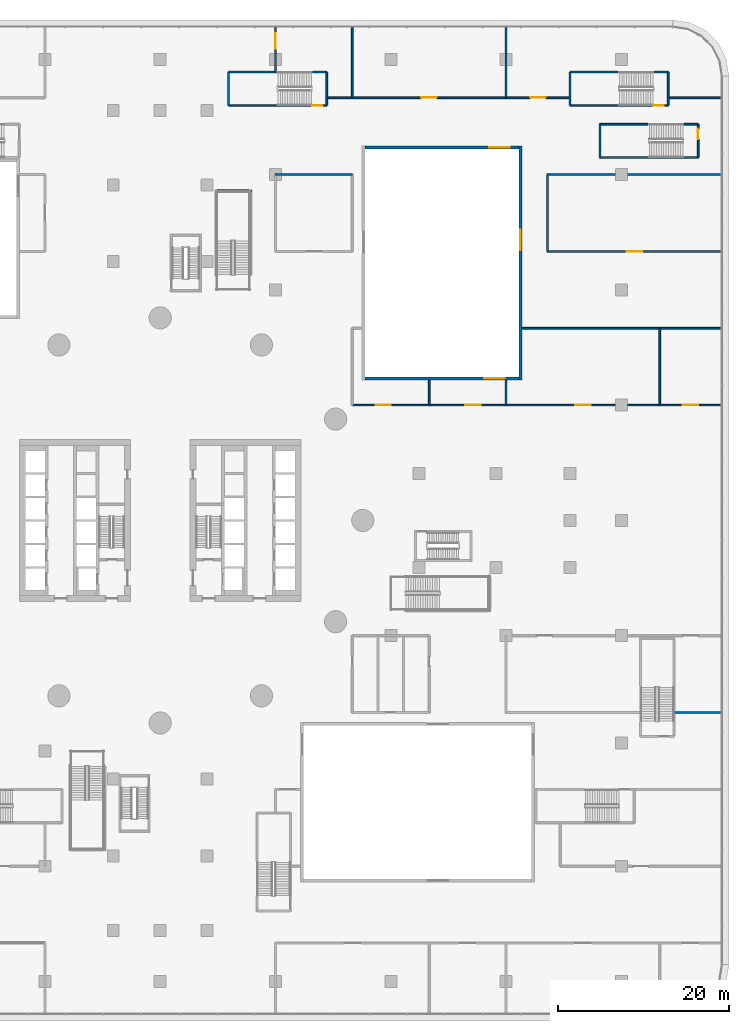
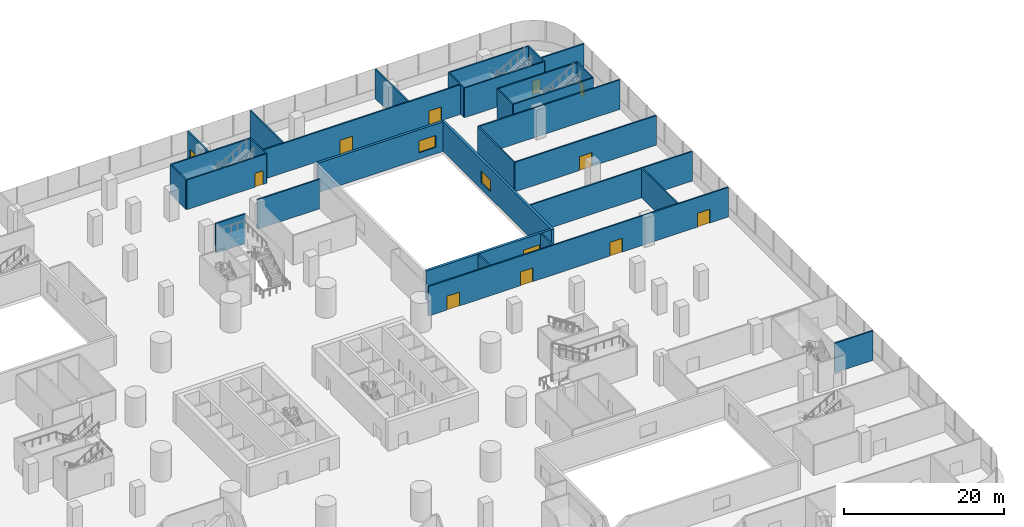
# One storey, part 30 of 44: 31 walls, 11 doors, 3 windows, 14 openings.
"""IFC4 building model written with IfcOpenShell, lengths in metres."""

import ifcopenshell
import ifcopenshell.guid

model = None  # the IFC model being written
_history = None  # IfcOwnerHistory: only IFC2X3 demands one
_inside = {}  # id of a spatial element -> (the spatial element, [elements in it])
_under = {}  # id of a project, library or spatial element -> (it, [spatial elements below it])
_declared = {}  # id of a project -> (the project, [libraries it declares])
_typed = {}  # id of a type object -> (the type object, [elements of that type])
_made_of = {}  # id of a material, layer set ... -> (it, [elements and type objects made of it])


def new_model(schema):
    """Start an empty IFC model of exactly this schema.

    Asked for "IFC4X3", IfcOpenShell would pick the latest addendum, in which some entities
    have other attributes; the version numbers below select the first issue.
    IFC2X3 requires an IfcOwnerHistory on every rooted entity: one is made here for all.
    """
    global model, _history
    if schema == "IFC4X3":
        model = ifcopenshell.file(schema_version=(4, 3, 0, 0))
    else:
        model = ifcopenshell.file(schema=schema)
    _inside.clear()
    _under.clear()
    _declared.clear()
    _typed.clear()
    _made_of.clear()
    _history = None
    if model.schema == "IFC2X3":
        org = make("IfcOrganization", Name="unknown")
        user = make(
            "IfcPersonAndOrganization",
            ThePerson=make("IfcPerson", FamilyName="unknown"),
            TheOrganization=org,
        )
        app = make(
            "IfcApplication",
            ApplicationDeveloper=org,
            Version="unknown",
            ApplicationFullName="unknown",
            ApplicationIdentifier="unknown",
        )
        _history = make(
            "IfcOwnerHistory",
            OwningUser=user,
            OwningApplication=app,
            ChangeAction="ADDED",
            CreationDate=0,
        )
    return model


def make(cls, **values):
    """One entity of the class cls with the attributes given. An attribute that is None is left unset."""
    return model.create_entity(
        cls, **{name: value for name, value in values.items() if value is not None}
    )


def rooted(cls, **values):
    """An entity with a GlobalId (a new one), such as an element, a storey or a relation."""
    return make(cls, GlobalId=ifcopenshell.guid.new(), OwnerHistory=_history, **values)


def si_unit(unit_type, name, prefix=None):
    """IfcSIUnit, for example si_unit("LENGTHUNIT", "METRE", prefix="MILLI")."""
    return make("IfcSIUnit", UnitType=unit_type, Prefix=prefix, Name=name)


def assignment(units):
    """IfcUnitAssignment: the units of a project."""
    return None if units is None else make("IfcUnitAssignment", Units=units)


def point(xyz):
    """IfcCartesianPoint."""
    return None if xyz is None else make("IfcCartesianPoint", Coordinates=xyz)


def direction(xyz):
    """IfcDirection."""
    return None if xyz is None else make("IfcDirection", DirectionRatios=xyz)


def frame(location, z_axis=None, x_axis=None):
    """IfcAxis2Placement3D, a coordinate frame: its origin and axes. An axis left out is left unset."""
    return make(
        "IfcAxis2Placement3D",
        Location=point(location),
        Axis=direction(z_axis),
        RefDirection=direction(x_axis),
    )


def frame_2d(location, x_axis=None):
    """IfcAxis2Placement2D, a coordinate frame in the plane: its origin and x axis."""
    return make(
        "IfcAxis2Placement2D", Location=point(location), RefDirection=direction(x_axis)
    )


def origin():
    """The frame at (0, 0, 0) with its axes left unset."""
    return frame((0.0, 0.0, 0.0))


def place(relative_to, where):
    """IfcLocalPlacement: puts the frame where relative to a parent placement (None: the world)."""
    return make(
        "IfcLocalPlacement", PlacementRelTo=relative_to, RelativePlacement=where
    )


def context(
    kind, dimensions, precision=None, world=None, true_north=None, identifier=None
):
    """IfcGeometricRepresentationContext, for example the 3D "Model" context."""
    return make(
        "IfcGeometricRepresentationContext",
        ContextIdentifier=identifier,
        ContextType=kind,
        CoordinateSpaceDimension=dimensions,
        Precision=precision,
        WorldCoordinateSystem=world,
        TrueNorth=true_north,
    )


def subcontext(parent, identifier, kind, view, scale=None):
    """IfcGeometricRepresentationSubContext, for example "Body" below "Model"."""
    return make(
        "IfcGeometricRepresentationSubContext",
        ContextIdentifier=identifier,
        ContextType=kind,
        ParentContext=parent,
        TargetScale=scale,
        TargetView=view,
    )


def project(units=None, contexts=None):
    """IfcProject with its units and contexts."""
    return rooted(
        "IfcProject",
        Name="project",
        RepresentationContexts=contexts,
        UnitsInContext=assignment(units),
    )


def spatial(cls, under=None, at=None, **own):
    """A site, building, storey or space (cls), placed at a placement, below another one or the project."""
    s = rooted(cls, ObjectPlacement=at, **own)
    if under is not None:
        _under.setdefault(under.id(), (under, []))[1].append(s)
    return s


def profile(cls, at=None, kind="AREA", **sizes):
    """A parametric profile (cls). Its sizes go by their IFC names, for example OverallWidth=200.0."""
    return make(cls, ProfileType=kind, Position=at, **sizes)


def rectangle(**sizes):
    """IfcRectangleProfileDef."""
    return profile("IfcRectangleProfileDef", **sizes)


def extrude(swept, where, along, depth):
    """IfcExtrudedAreaSolid: the profile swept, set in the frame where, extruded along a direction by depth."""
    return make(
        "IfcExtrudedAreaSolid",
        SweptArea=swept,
        Position=where,
        ExtrudedDirection=direction(along),
        Depth=depth,
    )


def shape(context_of_items, identifier, shape_type, items):
    """IfcShapeRepresentation: the items that make up one representation, for example the "Body"."""
    return make(
        "IfcShapeRepresentation",
        ContextOfItems=context_of_items,
        RepresentationIdentifier=identifier,
        RepresentationType=shape_type,
        Items=items,
    )


def material(Name=None, Category=None):
    """IfcMaterial."""
    return make("IfcMaterial", Name=Name, Category=Category)


def layer(
    of_material, thickness, ventilated=None, Name=None, Category=None, Priority=None
):
    """IfcMaterialLayer: one layer of a wall or slab, of a material (None: an air gap)."""
    return make(
        "IfcMaterialLayer",
        Material=of_material,
        LayerThickness=thickness,
        IsVentilated=ventilated,
        Name=Name,
        Category=Category,
        Priority=Priority,
    )


def layer_set(layers, Name=None):
    """IfcMaterialLayerSet."""
    return make("IfcMaterialLayerSet", MaterialLayers=layers, LayerSetName=Name)


def made_of(thing, what):
    """Note that an element or type object is made of a material, layer set ...; save() writes the relation."""
    if what is not None:
        _made_of.setdefault(what.id(), (what, []))[1].append(thing)
    return thing


def type_object(cls, material=None, **own):
    """A type object (cls), such as IfcWallType, which elements share."""
    return made_of(rooted(cls, **own), material)


def element(
    cls,
    number,
    at=None,
    inside=None,
    cuts=None,
    type_object=None,
    material=None,
    context=None,
    identifier="Body",
    shape_type=None,
    held_by="IfcProductDefinitionShape",
    body=None,
    shapes=None,
    **own,
):
    """One element of the class cls, such as IfcWall. Its Tag is "e" and its number.

    at: its placement. inside: the storey or other place that contains it. cuts: it is an
    opening in that element (IfcRelVoidsElement). A single representation is given by context,
    identifier, shape_type and body (its items); several are given by shapes. held_by: the class
    of the entity that holds the representations. save() writes the other relations.
    """
    e = rooted(cls, Tag="e%d" % number, ObjectPlacement=at, **own)
    if body is not None:
        shapes = [shape(context, identifier, shape_type, body)]
    if shapes is not None:
        e.Representation = make(held_by, Representations=shapes)
    if inside is not None:
        _inside.setdefault(inside.id(), (inside, []))[1].append(e)
    if cuts is not None:
        rooted(
            "IfcRelVoidsElement", RelatingBuildingElement=cuts, RelatedOpeningElement=e
        )
    if type_object is not None:
        _typed.setdefault(type_object.id(), (type_object, []))[1].append(e)
    return made_of(e, material)


def fill(opening, filler):
    """IfcRelFillsElement: the door or window that sits in an opening."""
    return rooted(
        "IfcRelFillsElement",
        RelatingOpeningElement=opening,
        RelatedBuildingElement=filler,
    )


def aggregate(whole, parts):
    """IfcRelAggregates: a whole, such as a stair, and the parts it consists of."""
    return rooted("IfcRelAggregates", RelatingObject=whole, RelatedObjects=parts)


def save(model, path):
    """Write the relations noted so far, then the file.

    IfcRelAggregates (storeys below a building ...), IfcRelContainedInSpatialStructure (elements
    in a storey), IfcRelDefinesByType, IfcRelAssociatesMaterial and IfcRelDeclares: one each for
    every whole, place, type object, material and project.
    """
    for whole, parts in _under.values():
        aggregate(whole, parts)
    for where, things in _inside.values():
        rooted(
            "IfcRelContainedInSpatialStructure",
            RelatedElements=things,
            RelatingStructure=where,
        )
    for kind, things in _typed.values():
        rooted("IfcRelDefinesByType", RelatedObjects=things, RelatingType=kind)
    for what, things in _made_of.values():
        rooted("IfcRelAssociatesMaterial", RelatedObjects=things, RelatingMaterial=what)
    for by, libraries in _declared.values():
        rooted("IfcRelDeclares", RelatingContext=by, RelatedDefinitions=libraries)
    model.write(path)


model = new_model("IFC4")

# Units and contexts
model_context = context("Model", 3, precision=1e-05, world=origin(), true_north=direction((0.0, 1.0)))
body_context = subcontext(model_context, "Body", "Model", "MODEL_VIEW")
ifc_project = project(units=[si_unit("LENGTHUNIT", "METRE"), si_unit("AREAUNIT", "SQUARE_METRE"), si_unit("VOLUMEUNIT", "CUBIC_METRE"), si_unit("PLANEANGLEUNIT", "RADIAN"), si_unit("MASSUNIT", "GRAM", prefix="KILO")], contexts=[model_context])

# Site, building, storey
site_placement = place(None, origin())
site = spatial("IfcSite", under=ifc_project, at=site_placement, CompositionType="ELEMENT")
building_placement = place(site_placement, origin())
building = spatial("IfcBuilding", under=site, at=building_placement, Name="Tamarind Cross Interchange Tower", CompositionType="ELEMENT")
storey_placement = place(building_placement, frame((0.0, 0.0, 15.0)))
storey = spatial("IfcBuildingStorey", under=building, at=storey_placement, Name="L02", CompositionType="ELEMENT", Elevation=15.0)

# Wall, opening, door
ifc_material_1 = material(Name="Masonry partition, fire-rated", Category="masonry")
ifc_layer_1 = layer(ifc_material_1, 0.199951171875)
ifc_layer_set_1 = layer_set([ifc_layer_1], Name="Masonry partition, fire-rated")
wall_type_1 = type_object("IfcWallType", Name="Fire partition 200 EI 120", PredefinedType="PARTITIONING", material=ifc_layer_set_1)
wall_1_placement = place(storey_placement, frame((13.5, 52.530029296875, 0.0), z_axis=(0.0, 0.0, 1.0), x_axis=(0.0, 1.0, 0.0)))
wall_1 = element("IfcWall", 1, at=wall_1_placement, inside=storey, type_object=wall_type_1, Name="L02 partition 91", PredefinedType="PARTITIONING", context=body_context, shape_type="SweptSolid", body=[
    extrude(rectangle(XDim=5.1689453125, YDim=0.199951171875, at=frame_2d((2.58447265625, 0.0))), origin(), (0.0, 0.0, 1.0), 4.5),
])
opening_1_placement = place(wall_1_placement, frame((2.718017578125, 0.0, 0.0)))
opening_1 = element("IfcOpeningElement", 2, at=opening_1_placement, cuts=wall_1, Name="Opening DL02-18", PredefinedType="OPENING", context=body_context, shape_type="SweptSolid", body=[
    extrude(rectangle(XDim=1.800048828125, YDim=2.10009765625, at=frame_2d((0.89990234375, 1.050048828125))), frame((0.0, 0.10986328125, 0.0), z_axis=(0.0, -1.0, 0.0), x_axis=(1.0, 0.0, 0.0)), (0.0, 0.0, 1.0), 0.219970703125),
])
ifc_material_2 = material(Name="Steel, fire-resisting", Category="steel")
door_type_1 = type_object("IfcDoorType", Name="Podium door 1800 x 2100 FD90", OperationType="SINGLE_SWING_LEFT", PredefinedType="DOOR", material=ifc_material_2)
door_1_placement = place(opening_1_placement, origin())
door_1 = element("IfcDoor", 3, at=door_1_placement, inside=storey, type_object=door_type_1, Name="L02 door Food Hall Kitchen 0207", OperationType="SINGLE_SWING_RIGHT", OverallHeight=2.10009765625, OverallWidth=1.800048828125, PredefinedType="DOOR", context=body_context, shape_type="SweptSolid", body=[
    extrude(rectangle(XDim=1.800048828125, YDim=2.10009765625, at=frame_2d((0.89990234375, 1.050048828125))), frame((0.0, 0.02490234375, 0.0), z_axis=(0.0, -1.0, 0.0), x_axis=(1.0, 0.0, 0.0)), (0.0, 0.0, 1.0), 0.050048828125),
])
fill(opening_1, door_1)

# Wall, openings, doors
wall_2_placement = place(storey_placement, frame((19.530029296875, 49.5, 0.0), z_axis=(0.0, 0.0, 1.0), x_axis=(1.0, 0.0, 0.0)))
wall_2 = element("IfcWall", 4, at=wall_2_placement, inside=storey, type_object=wall_type_1, Name="L02 partition 93", PredefinedType="PARTITIONING", context=body_context, shape_type="SweptSolid", body=[
    extrude(rectangle(XDim=28.43994140625, YDim=0.199951171875, at=frame_2d((14.219970703125, 0.0))), origin(), (0.0, 0.0, 1.0), 4.5),
])
opening_2_placement = place(wall_2_placement, frame((11.06005859375, 0.0, 0.0)))
opening_2 = element("IfcOpeningElement", 5, at=opening_2_placement, cuts=wall_2, Name="Opening DL02-19", PredefinedType="OPENING", context=body_context, shape_type="SweptSolid", body=[
    extrude(rectangle(XDim=1.800048828125, YDim=2.10009765625, at=frame_2d((0.89990234375, 1.050048828125))), frame((0.0, 0.10986328125, 0.0), z_axis=(0.0, -1.0, 0.0), x_axis=(1.0, 0.0, 0.0)), (0.0, 0.0, 1.0), 0.219970703125),
])
opening_3_placement = place(wall_2_placement, frame((23.820068359375, 0.0, 0.0)))
opening_3 = element("IfcOpeningElement", 6, at=opening_3_placement, cuts=wall_2, Name="Opening DL02-20", PredefinedType="OPENING", context=body_context, shape_type="SweptSolid", body=[
    extrude(rectangle(XDim=1.800048828125, YDim=2.10009765625, at=frame_2d((0.89990234375, 1.050048828125))), frame((0.0, 0.10986328125, 0.0), z_axis=(0.0, -1.0, 0.0), x_axis=(1.0, 0.0, 0.0)), (0.0, 0.0, 1.0), 0.219970703125),
])
door_type_2 = type_object("IfcDoorType", Name="Podium door 1800 x 2100 FD60", OperationType="SINGLE_SWING_LEFT", PredefinedType="DOOR", material=ifc_material_2)
door_2_placement = place(opening_2_placement, origin())
door_2 = element("IfcDoor", 7, at=door_2_placement, inside=storey, type_object=door_type_2, Name="L02 door Restaurant 0208", OperationType="SINGLE_SWING_LEFT", OverallHeight=2.10009765625, OverallWidth=1.800048828125, PredefinedType="DOOR", context=body_context, shape_type="SweptSolid", body=[
    extrude(rectangle(XDim=1.800048828125, YDim=2.10009765625, at=frame_2d((0.89990234375, 1.050048828125))), frame((0.0, 0.02490234375, 0.0), z_axis=(0.0, -1.0, 0.0), x_axis=(1.0, 0.0, 0.0)), (0.0, 0.0, 1.0), 0.050048828125),
])
fill(opening_2, door_2)
door_3_placement = place(opening_3_placement, origin())
door_3 = element("IfcDoor", 8, at=door_3_placement, inside=storey, type_object=door_type_2, Name="L02 door Tea House 0209", OperationType="SINGLE_SWING_RIGHT", OverallHeight=2.10009765625, OverallWidth=1.800048828125, PredefinedType="DOOR", context=body_context, shape_type="SweptSolid", body=[
    extrude(rectangle(XDim=1.800048828125, YDim=2.10009765625, at=frame_2d((0.89990234375, 1.050048828125))), frame((0.0, 0.02490234375, 0.0), z_axis=(0.0, -1.0, 0.0), x_axis=(1.0, 0.0, 0.0)), (0.0, 0.0, 1.0), 0.050048828125),
])
fill(opening_3, door_3)

# Wall
wall_3_placement = place(storey_placement, frame((22.5, 49.5, 0.0), z_axis=(0.0, 0.0, 1.0), x_axis=(0.0, 1.0, 0.0)))
element("IfcWall", 9, at=wall_3_placement, inside=storey, type_object=wall_type_1, Name="L02 partition 94", PredefinedType="PARTITIONING", context=body_context, shape_type="SweptSolid", body=[
    extrude(rectangle(XDim=8.198974609375, YDim=0.199951171875, at=frame_2d((4.099609375, 0.0))), origin(), (0.0, 0.0, 1.0), 4.5),
])

# Wall, openings, doors
wall_4_placement = place(storey_placement, frame((22.5, 13.5, 0.0), z_axis=(0.0, 0.0, 1.0), x_axis=(1.0, 0.0, 0.0)))
wall_4 = element("IfcWall", 10, at=wall_4_placement, inside=storey, type_object=wall_type_1, Name="L02 partition 95", PredefinedType="PARTITIONING", context=body_context, shape_type="SweptSolid", body=[
    extrude(rectangle(XDim=43.198974609375, YDim=0.199951171875, at=frame_2d((21.599609375, 0.0))), origin(), (0.0, 0.0, 1.0), 4.5),
])
opening_4_placement = place(wall_4_placement, frame((2.714111328125, 0.0, 0.0)))
opening_4 = element("IfcOpeningElement", 11, at=opening_4_placement, cuts=wall_4, Name="Opening DL02-13", PredefinedType="OPENING", context=body_context, shape_type="SweptSolid", body=[
    extrude(rectangle(XDim=1.800048828125, YDim=2.10009765625, at=frame_2d((0.89990234375, 1.050048828125))), frame((0.0, 0.10986328125, 0.0), z_axis=(0.0, -1.0, 0.0), x_axis=(1.0, 0.0, 0.0)), (0.0, 0.0, 1.0), 0.219970703125),
])
opening_5_placement = place(wall_4_placement, frame((13.22509765625, 0.0, 0.0)))
opening_5 = element("IfcOpeningElement", 12, at=opening_5_placement, cuts=wall_4, Name="Opening DL02-14", PredefinedType="OPENING", context=body_context, shape_type="SweptSolid", body=[
    extrude(rectangle(XDim=1.800048828125, YDim=2.10009765625, at=frame_2d((0.89990234375, 1.050048828125))), frame((0.0, 0.10986328125, 0.0), z_axis=(0.0, -1.0, 0.0), x_axis=(1.0, 0.0, 0.0)), (0.0, 0.0, 1.0), 0.219970703125),
])
opening_6_placement = place(wall_4_placement, frame((26.110107421875, 0.0, 0.0)))
opening_6 = element("IfcOpeningElement", 13, at=opening_6_placement, cuts=wall_4, Name="Opening DL02-15", PredefinedType="OPENING", context=body_context, shape_type="SweptSolid", body=[
    extrude(rectangle(XDim=1.800048828125, YDim=2.10009765625, at=frame_2d((0.89990234375, 1.050048828125))), frame((0.0, 0.10986328125, 0.0), z_axis=(0.0, -1.0, 0.0), x_axis=(1.0, 0.0, 0.0)), (0.0, 0.0, 1.0), 0.219970703125),
])
opening_7_placement = place(wall_4_placement, frame((38.699951171875, 0.0, 0.0)))
opening_7 = element("IfcOpeningElement", 14, at=opening_7_placement, cuts=wall_4, Name="Opening DL02-16", PredefinedType="OPENING", context=body_context, shape_type="SweptSolid", body=[
    extrude(rectangle(XDim=1.800048828125, YDim=2.10009765625, at=frame_2d((0.89990234375, 1.050048828125))), frame((0.0, 0.10986328125, 0.0), z_axis=(0.0, -1.0, 0.0), x_axis=(1.0, 0.0, 0.0)), (0.0, 0.0, 1.0), 0.219970703125),
])
door_4_placement = place(opening_5_placement, origin())
door_4 = element("IfcDoor", 15, at=door_4_placement, inside=storey, type_object=door_type_2, Name="L02 door Restaurant 0202", OperationType="SINGLE_SWING_RIGHT", OverallHeight=2.10009765625, OverallWidth=1.800048828125, PredefinedType="DOOR", context=body_context, shape_type="SweptSolid", body=[
    extrude(rectangle(XDim=1.800048828125, YDim=2.10009765625, at=frame_2d((0.89990234375, 1.050048828125))), frame((0.0, 0.02490234375, 0.0), z_axis=(0.0, -1.0, 0.0), x_axis=(1.0, 0.0, 0.0)), (0.0, 0.0, 1.0), 0.050048828125),
])
fill(opening_5, door_4)
door_5_placement = place(opening_6_placement, origin())
door_5 = element("IfcDoor", 16, at=door_5_placement, inside=storey, type_object=door_type_2, Name="L02 door Dessert Cafe 0203", OperationType="SINGLE_SWING_LEFT", OverallHeight=2.10009765625, OverallWidth=1.800048828125, PredefinedType="DOOR", context=body_context, shape_type="SweptSolid", body=[
    extrude(rectangle(XDim=1.800048828125, YDim=2.10009765625, at=frame_2d((0.89990234375, 1.050048828125))), frame((0.0, 0.02490234375, 0.0), z_axis=(0.0, -1.0, 0.0), x_axis=(1.0, 0.0, 0.0)), (0.0, 0.0, 1.0), 0.050048828125),
])
fill(opening_6, door_5)
door_6_placement = place(opening_7_placement, origin())
door_6 = element("IfcDoor", 17, at=door_6_placement, inside=storey, type_object=door_type_2, Name="L02 door Grill Restaurant 0204", OperationType="SINGLE_SWING_RIGHT", OverallHeight=2.10009765625, OverallWidth=1.800048828125, PredefinedType="DOOR", context=body_context, shape_type="SweptSolid", body=[
    extrude(rectangle(XDim=1.800048828125, YDim=2.10009765625, at=frame_2d((0.89990234375, 1.050048828125))), frame((0.0, 0.02490234375, 0.0), z_axis=(0.0, -1.0, 0.0), x_axis=(1.0, 0.0, 0.0)), (0.0, 0.0, 1.0), 0.050048828125),
])
fill(opening_7, door_6)
door_7_placement = place(opening_4_placement, origin())
door_7 = element("IfcDoor", 18, at=door_7_placement, inside=storey, type_object=door_type_1, Name="L02 door Food Hall Kitchen 0201", OperationType="SINGLE_SWING_LEFT", OverallHeight=2.10009765625, OverallWidth=1.800048828125, PredefinedType="DOOR", context=body_context, shape_type="SweptSolid", body=[
    extrude(rectangle(XDim=1.800048828125, YDim=2.10009765625, at=frame_2d((0.89990234375, 1.050048828125))), frame((0.0, 0.02490234375, 0.0), z_axis=(0.0, -1.0, 0.0), x_axis=(1.0, 0.0, 0.0)), (0.0, 0.0, 1.0), 0.050048828125),
])
fill(opening_4, door_7)

# Walls
for number, where, z_axis, x_axis, name in (
    (19, (31.5, 13.5, 0.0), (0.0, 0.0, 1.0), (0.0, 1.0, 0.0), "L02 partition 105"),
    (20, (40.5, 13.5, 0.0), (0.0, 0.0, 1.0), (0.0, 1.0, 0.0), "L02 partition 107"),
):
    element("IfcWall", number, at=place(storey_placement, frame(where, z_axis=z_axis, x_axis=x_axis)), inside=storey, type_object=wall_type_1, Name=name, PredefinedType="PARTITIONING", context=body_context, shape_type="SweptSolid", body=[
        extrude(rectangle(XDim=2.919921875, YDim=0.199951171875, at=frame_2d((1.4599609375, 0.0))), origin(), (0.0, 0.0, 1.0), 4.5),
    ])
wall_5_placement = place(storey_placement, frame((40.5, 49.5, 0.0), z_axis=(0.0, 0.0, 1.0), x_axis=(0.0, 1.0, 0.0)))
element("IfcWall", 21, at=wall_5_placement, inside=storey, type_object=wall_type_1, Name="L02 partition 108", PredefinedType="PARTITIONING", context=body_context, shape_type="SweptSolid", body=[
    extrude(rectangle(XDim=8.198974609375, YDim=0.199951171875, at=frame_2d((4.099609375, 0.0))), origin(), (0.0, 0.0, 1.0), 4.5),
])
wall_6_placement = place(storey_placement, frame((42.3798828125, 22.5, 0.0), z_axis=(0.0, 0.0, 1.0), x_axis=(1.0, 0.0, 0.0)))
element("IfcWall", 22, at=wall_6_placement, inside=storey, type_object=wall_type_1, Name="L02 partition 109", PredefinedType="PARTITIONING", context=body_context, shape_type="SweptSolid", body=[
    extrude(rectangle(XDim=23.319091796875, YDim=0.199951171875, at=frame_2d((11.65966796875, 0.0))), origin(), (0.0, 0.0, 1.0), 4.5),
])
wall_7_placement = place(storey_placement, frame((58.5, 13.5, 0.0), z_axis=(0.0, 0.0, 1.0), x_axis=(0.0, 1.0, 0.0)))
element("IfcWall", 23, at=wall_7_placement, inside=storey, type_object=wall_type_1, Name="L02 partition 117", PredefinedType="PARTITIONING", context=body_context, shape_type="SweptSolid", body=[
    extrude(rectangle(XDim=9.0, YDim=0.199951171875, at=frame_2d((4.5, 0.0))), origin(), (0.0, 0.0, 1.0), 4.5),
])
wall_8_placement = place(storey_placement, frame((59.530029296875, 49.5, 0.0), z_axis=(0.0, 0.0, 1.0), x_axis=(1.0, 0.0, 0.0)))
element("IfcWall", 24, at=wall_8_placement, inside=storey, type_object=wall_type_1, Name="L02 partition 118", PredefinedType="PARTITIONING", context=body_context, shape_type="SweptSolid", body=[
    extrude(rectangle(XDim=6.1689453125, YDim=0.199951171875, at=frame_2d((3.08447265625, 0.0))), origin(), (0.0, 0.0, 1.0), 4.5),
])
wall_9_placement = place(storey_placement, frame((60.179931640625, -22.5, 0.0), z_axis=(0.0, 0.0, 1.0), x_axis=(1.0, 0.0, 0.0)))
element("IfcWall", 25, at=wall_9_placement, inside=storey, type_object=wall_type_1, Name="L02 partition 119", PredefinedType="PARTITIONING", context=body_context, shape_type="SweptSolid", body=[
    extrude(rectangle(XDim=5.51904296875, YDim=0.199951171875, at=frame_2d((2.759521484375, 0.0))), origin(), (0.0, 0.0, 1.0), 4.5),
])

# Wall, opening, door
wall_10_placement = place(storey_placement, frame((45.35009765625, 31.5, 0.0), z_axis=(0.0, 0.0, 1.0), x_axis=(1.0, 0.0, 0.0)))
wall_10 = element("IfcWall", 26, at=wall_10_placement, inside=storey, type_object=wall_type_1, Name="L02 partition 120", PredefinedType="PARTITIONING", context=body_context, shape_type="SweptSolid", body=[
    extrude(rectangle(XDim=20.348876953125, YDim=0.199951171875, at=frame_2d((10.17431640625, 0.0))), origin(), (0.0, 0.0, 1.0), 4.5),
])
opening_8_placement = place(wall_10_placement, frame((9.27490234375, 0.0, 0.0)))
opening_8 = element("IfcOpeningElement", 27, at=opening_8_placement, cuts=wall_10, Name="Opening DL02-21", PredefinedType="OPENING", context=body_context, shape_type="SweptSolid", body=[
    extrude(rectangle(XDim=1.800048828125, YDim=2.10009765625, at=frame_2d((0.89990234375, 1.050048828125))), frame((0.0, 0.10986328125, 0.0), z_axis=(0.0, -1.0, 0.0), x_axis=(1.0, 0.0, 0.0)), (0.0, 0.0, 1.0), 0.219970703125),
])
door_8_placement = place(opening_8_placement, origin())
door_8 = element("IfcDoor", 28, at=door_8_placement, inside=storey, type_object=door_type_1, Name="L02 door Food Hall Kitchen 0206", OperationType="SINGLE_SWING_LEFT", OverallHeight=2.10009765625, OverallWidth=1.800048828125, PredefinedType="DOOR", context=body_context, shape_type="SweptSolid", body=[
    extrude(rectangle(XDim=1.800048828125, YDim=2.10009765625, at=frame_2d((0.89990234375, 1.050048828125))), frame((0.0, 0.02490234375, 0.0), z_axis=(0.0, -1.0, 0.0), x_axis=(1.0, 0.0, 0.0)), (0.0, 0.0, 1.0), 0.050048828125),
])
fill(opening_8, door_8)

# Walls
wall_11_placement = place(storey_placement, frame((45.35009765625, 31.5, 0.0), z_axis=(0.0, 0.0, 1.0), x_axis=(0.0, 1.0, 0.0)))
element("IfcWall", 29, at=wall_11_placement, inside=storey, type_object=wall_type_1, Name="L02 partition 121", PredefinedType="PARTITIONING", context=body_context, shape_type="SweptSolid", body=[
    extrude(rectangle(XDim=9.0, YDim=0.199951171875, at=frame_2d((4.5, 0.0))), origin(), (0.0, 0.0, 1.0), 4.5),
])
wall_12_placement = place(storey_placement, frame((45.35009765625, 40.5, 0.0), z_axis=(0.0, 0.0, 1.0), x_axis=(1.0, 0.0, 0.0)))
element("IfcWall", 30, at=wall_12_placement, inside=storey, type_object=wall_type_1, Name="L02 partition 122", PredefinedType="PARTITIONING", context=body_context, shape_type="SweptSolid", body=[
    extrude(rectangle(XDim=20.348876953125, YDim=0.199951171875, at=frame_2d((10.17431640625, 0.0))), origin(), (0.0, 0.0, 1.0), 4.5),
])
wall_13_placement = place(storey_placement, frame((13.5, 40.5, 0.0), z_axis=(0.0, 0.0, 1.0), x_axis=(1.0, 0.0, 0.0)))
element("IfcWall", 31, at=wall_13_placement, inside=storey, type_object=wall_type_1, Name="L02 partition 126", PredefinedType="PARTITIONING", context=body_context, shape_type="SweptSolid", body=[
    extrude(rectangle(XDim=9.0, YDim=0.199951171875, at=frame_2d((4.5, 0.0))), origin(), (0.0, 0.0, 1.0), 4.5),
])

# Wall, opening, window
ifc_material_3 = material(Name="Precast concrete C40", Category="concrete")
ifc_layer_2 = layer(ifc_material_3, 0.35009765625)
ifc_layer_set_2 = layer_set([ifc_layer_2], Name="Precast concrete C40")
wall_type_2 = type_object("IfcWallType", Name="Podium facade wall", PredefinedType="SOLIDWALL", material=ifc_layer_set_2)
wall_14_placement = place(storey_placement, frame((24.0, 16.625, 0.0), z_axis=(0.0, 0.0, 1.0), x_axis=(1.0, 0.0, 0.0)))
wall_14 = element("IfcWall", 32, at=wall_14_placement, inside=storey, type_object=wall_type_2, Name="CTW-L02-NES00", PredefinedType="SOLIDWALL", context=body_context, shape_type="SweptSolid", body=[
    extrude(rectangle(XDim=18.0, YDim=0.35009765625, at=frame_2d((9.0, 0.0))), origin(), (0.0, 0.0, 1.0), 4.5),
])
opening_9_placement = place(wall_14_placement, frame((13.949951171875, 0.0, 1.0)))
opening_9 = element("IfcOpeningElement", 33, at=opening_9_placement, cuts=wall_14, Name="Opening W4", PredefinedType="OPENING", context=body_context, shape_type="SweptSolid", body=[
    extrude(rectangle(XDim=2.39990234375, YDim=1.800048828125, at=frame_2d((1.199951171875, 0.89990234375))), frame((0.0, 0.18505859375, 0.0), z_axis=(0.0, -1.0, 0.0), x_axis=(1.0, 0.0, 0.0)), (0.0, 0.0, 1.0), 0.3701171875),
])
ifc_material_4 = material(Name="Aluminium and toughened glass", Category="aluminium")
window_type = type_object("IfcWindowType", Name="Podium daylight window", PartitioningType="SINGLE_PANEL", PredefinedType="WINDOW", material=ifc_material_4)
window_1_placement = place(opening_9_placement, origin())
window_1 = element("IfcWindow", 34, at=window_1_placement, inside=storey, type_object=window_type, Name="CTX-L02-NES-01-00", OverallHeight=1.800048828125, OverallWidth=2.39990234375, PartitioningType="SINGLE_PANEL", PredefinedType="WINDOW", context=body_context, shape_type="SweptSolid", body=[
    extrude(rectangle(XDim=2.39990234375, YDim=1.800048828125, at=frame_2d((1.199951171875, 0.89990234375))), frame((0.0, 0.030029296875, 0.0), z_axis=(0.0, -1.0, 0.0), x_axis=(1.0, 0.0, 0.0)), (0.0, 0.0, 1.0), 0.06005859375),
])
fill(opening_9, window_1)

wall_15_placement = place(storey_placement, frame((24.0, 43.675048828125, 0.0), z_axis=(0.0, 0.0, 1.0), x_axis=(1.0, 0.0, 0.0)))
wall_15 = element("IfcWall", 35, at=wall_15_placement, inside=storey, type_object=wall_type_2, Name="CTW-L02-NEN00", PredefinedType="SOLIDWALL", context=body_context, shape_type="SweptSolid", body=[
    extrude(rectangle(XDim=18.0, YDim=0.35009765625, at=frame_2d((9.0, 0.0))), origin(), (0.0, 0.0, 1.0), 4.5),
])
opening_10_placement = place(wall_15_placement, frame((14.550048828125, 0.0, 1.0)))
opening_10 = element("IfcOpeningElement", 36, at=opening_10_placement, cuts=wall_15, Name="Opening W4", PredefinedType="OPENING", context=body_context, shape_type="SweptSolid", body=[
    extrude(rectangle(XDim=2.39990234375, YDim=1.800048828125, at=frame_2d((1.199951171875, 0.89990234375))), frame((0.0, 0.18505859375, 0.0), z_axis=(0.0, -1.0, 0.0), x_axis=(1.0, 0.0, 0.0)), (0.0, 0.0, 1.0), 0.3701171875),
])
window_2_placement = place(opening_10_placement, origin())
window_2 = element("IfcWindow", 37, at=window_2_placement, inside=storey, type_object=window_type, Name="CTX-L02-NEN-01-00", OverallHeight=1.800048828125, OverallWidth=2.39990234375, PartitioningType="SINGLE_PANEL", PredefinedType="WINDOW", context=body_context, shape_type="SweptSolid", body=[
    extrude(rectangle(XDim=2.39990234375, YDim=1.800048828125, at=frame_2d((1.199951171875, 0.89990234375))), frame((0.0, 0.030029296875, 0.0), z_axis=(0.0, -1.0, 0.0), x_axis=(1.0, 0.0, 0.0)), (0.0, 0.0, 1.0), 0.06005859375),
])
fill(opening_10, window_2)

wall_16_placement = place(storey_placement, frame((42.175048828125, 16.449951171875, 0.0), z_axis=(0.0, 0.0, 1.0), x_axis=(0.0, 1.0, 0.0)))
wall_16 = element("IfcWall", 38, at=wall_16_placement, inside=storey, type_object=wall_type_2, Name="CTW-L02-NEE00", PredefinedType="SOLIDWALL", context=body_context, shape_type="SweptSolid", body=[
    extrude(rectangle(XDim=27.400146484375, YDim=0.35009765625, at=frame_2d((13.7001953125, 0.0))), origin(), (0.0, 0.0, 1.0), 4.5),
])
opening_11_placement = place(wall_16_placement, frame((15.199951171875, 0.0, 1.0)))
opening_11 = element("IfcOpeningElement", 39, at=opening_11_placement, cuts=wall_16, Name="Opening W4", PredefinedType="OPENING", context=body_context, shape_type="SweptSolid", body=[
    extrude(rectangle(XDim=2.39990234375, YDim=1.800048828125, at=frame_2d((1.199951171875, 0.89990234375))), frame((0.0, 0.18505859375, 0.0), z_axis=(0.0, -1.0, 0.0), x_axis=(1.0, 0.0, 0.0)), (0.0, 0.0, 1.0), 0.3701171875),
])
window_3_placement = place(opening_11_placement, origin())
window_3 = element("IfcWindow", 40, at=window_3_placement, inside=storey, type_object=window_type, Name="CTX-L02-NEE-01-00", OverallHeight=1.800048828125, OverallWidth=2.39990234375, PartitioningType="SINGLE_PANEL", PredefinedType="WINDOW", context=body_context, shape_type="SweptSolid", body=[
    extrude(rectangle(XDim=2.39990234375, YDim=1.800048828125, at=frame_2d((1.199951171875, 0.89990234375))), frame((0.0, 0.030029296875, 0.0), z_axis=(0.0, -1.0, 0.0), x_axis=(1.0, 0.0, 0.0)), (0.0, 0.0, 1.0), 0.06005859375),
])
fill(opening_11, window_3)

# Wall
ifc_material_5 = material(Name="Concrete C40", Category="concrete")
ifc_layer_3 = layer(ifc_material_5, 0.199951171875)
ifc_layer_set_3 = layer_set([ifc_layer_3], Name="Concrete C40")
wall_type_3 = type_object("IfcWallType", Name="Stair shaft wall 200", PredefinedType="SOLIDWALL", material=ifc_layer_set_3)
wall_17_placement = place(storey_placement, frame((10.699951171875, 38.60009765625, 0.0), z_axis=(0.0, 0.0, 1.0), x_axis=(-1.0, 0.0, 0.0)))
element("IfcWall", 41, at=wall_17_placement, inside=storey, type_object=wall_type_3, Name="public stair PS-N shaft wall F", PredefinedType="SOLIDWALL", context=body_context, shape_type="SweptSolid", body=[
    extrude(rectangle(XDim=4.300048828125, YDim=0.199951171875, at=frame_2d((2.14990234375, 0.0))), origin(), (0.0, 0.0, 1.0), 4.5),
])

# Wall, opening, door
ifc_layer_4 = layer(ifc_material_5, 0.199951171875)
ifc_layer_set_4 = layer_set([ifc_layer_4], Name="Concrete C40")
wall_type_4 = type_object("IfcWallType", Name="Stair shaft wall 200 EI 180", PredefinedType="PARTITIONING", material=ifc_layer_set_4)
wall_18_placement = place(storey_placement, frame((8.0, 48.60009765625, 0.0), z_axis=(0.0, 0.0, 1.0), x_axis=(1.0, 0.0, 0.0)))
wall_18 = element("IfcWall", 42, at=wall_18_placement, inside=storey, type_object=wall_type_4, Name="L02 stair shaft wall 29", PredefinedType="PARTITIONING", context=body_context, shape_type="SweptSolid", body=[
    extrude(rectangle(XDim=11.5, YDim=0.199951171875, at=frame_2d((5.75, 0.0))), origin(), (0.0, 0.0, 1.0), 4.5),
])
opening_12_placement = place(wall_18_placement, frame((9.780029296875, 0.0, 0.0)))
opening_12 = element("IfcOpeningElement", 43, at=opening_12_placement, cuts=wall_18, Name="Opening DL02-03", PredefinedType="OPENING", context=body_context, shape_type="SweptSolid", body=[
    extrude(rectangle(XDim=1.199951171875, YDim=2.10009765625, at=frame_2d((0.60009765625, 1.050048828125))), frame((0.0, 0.10986328125, 0.0), z_axis=(0.0, -1.0, 0.0), x_axis=(1.0, 0.0, 0.0)), (0.0, 0.0, 1.0), 0.219970703125),
])
door_type_3 = type_object("IfcDoorType", Name="Podium door 1200 x 2100 FD90", OperationType="SINGLE_SWING_LEFT", PredefinedType="DOOR", material=ifc_material_2)
door_9_placement = place(opening_12_placement, origin())
door_9 = element("IfcDoor", 44, at=door_9_placement, inside=storey, type_object=door_type_3, Name="L02 door Exit Stair PX3", OperationType="SINGLE_SWING_LEFT", OverallHeight=2.10009765625, OverallWidth=1.199951171875, PredefinedType="DOOR", context=body_context, shape_type="SweptSolid", body=[
    extrude(rectangle(XDim=1.199951171875, YDim=2.10009765625, at=frame_2d((0.60009765625, 1.050048828125))), frame((0.0, 0.02490234375, 0.0), z_axis=(0.0, -1.0, 0.0), x_axis=(1.0, 0.0, 0.0)), (0.0, 0.0, 1.0), 0.050048828125),
])
fill(opening_12, door_9)

# Walls
wall_19_placement = place(storey_placement, frame((8.0, 48.60009765625, 0.0), z_axis=(0.0, 0.0, 1.0), x_axis=(0.0, 1.0, 0.0)))
element("IfcWall", 45, at=wall_19_placement, inside=storey, type_object=wall_type_4, Name="L02 stair shaft wall 30", PredefinedType="PARTITIONING", context=body_context, shape_type="SweptSolid", body=[
    extrude(rectangle(XDim=3.89990234375, YDim=0.199951171875, at=frame_2d((1.949951171875, 0.0))), origin(), (0.0, 0.0, 1.0), 4.5),
])
wall_20_placement = place(storey_placement, frame((8.0, 52.5, 0.0), z_axis=(0.0, 0.0, 1.0), x_axis=(1.0, 0.0, 0.0)))
element("IfcWall", 46, at=wall_20_placement, inside=storey, type_object=wall_type_4, Name="L02 stair shaft wall 31", PredefinedType="PARTITIONING", context=body_context, shape_type="SweptSolid", body=[
    extrude(rectangle(XDim=11.5, YDim=0.199951171875, at=frame_2d((5.75, 0.0))), origin(), (0.0, 0.0, 1.0), 4.5),
])
wall_21_placement = place(storey_placement, frame((19.5, 48.60009765625, 0.0), z_axis=(0.0, 0.0, 1.0), x_axis=(0.0, 1.0, 0.0)))
element("IfcWall", 47, at=wall_21_placement, inside=storey, type_object=wall_type_4, Name="L02 stair shaft wall 32", PredefinedType="PARTITIONING", context=body_context, shape_type="SweptSolid", body=[
    extrude(rectangle(XDim=3.89990234375, YDim=0.199951171875, at=frame_2d((1.949951171875, 0.0))), origin(), (0.0, 0.0, 1.0), 4.5),
])

# Wall, opening, door
wall_22_placement = place(storey_placement, frame((48.0, 48.60009765625, 0.0), z_axis=(0.0, 0.0, 1.0), x_axis=(1.0, 0.0, 0.0)))
wall_22 = element("IfcWall", 48, at=wall_22_placement, inside=storey, type_object=wall_type_4, Name="L02 stair shaft wall 41", PredefinedType="PARTITIONING", context=body_context, shape_type="SweptSolid", body=[
    extrude(rectangle(XDim=11.5, YDim=0.199951171875, at=frame_2d((5.75, 0.0))), origin(), (0.0, 0.0, 1.0), 4.5),
])
opening_13_placement = place(wall_22_placement, frame((9.780029296875, 0.0, 0.0)))
opening_13 = element("IfcOpeningElement", 49, at=opening_13_placement, cuts=wall_22, Name="Opening DL02-01", PredefinedType="OPENING", context=body_context, shape_type="SweptSolid", body=[
    extrude(rectangle(XDim=1.199951171875, YDim=2.10009765625, at=frame_2d((0.60009765625, 1.050048828125))), frame((0.0, 0.10986328125, 0.0), z_axis=(0.0, -1.0, 0.0), x_axis=(1.0, 0.0, 0.0)), (0.0, 0.0, 1.0), 0.219970703125),
])
door_10_placement = place(opening_13_placement, origin())
door_10 = element("IfcDoor", 50, at=door_10_placement, inside=storey, type_object=door_type_3, Name="L02 door Exit Stair PX1", OperationType="SINGLE_SWING_LEFT", OverallHeight=2.10009765625, OverallWidth=1.199951171875, PredefinedType="DOOR", context=body_context, shape_type="SweptSolid", body=[
    extrude(rectangle(XDim=1.199951171875, YDim=2.10009765625, at=frame_2d((0.60009765625, 1.050048828125))), frame((0.0, 0.02490234375, 0.0), z_axis=(0.0, -1.0, 0.0), x_axis=(1.0, 0.0, 0.0)), (0.0, 0.0, 1.0), 0.050048828125),
])
fill(opening_13, door_10)

# Walls
wall_23_placement = place(storey_placement, frame((48.0, 48.60009765625, 0.0), z_axis=(0.0, 0.0, 1.0), x_axis=(0.0, 1.0, 0.0)))
element("IfcWall", 51, at=wall_23_placement, inside=storey, type_object=wall_type_4, Name="L02 stair shaft wall 42", PredefinedType="PARTITIONING", context=body_context, shape_type="SweptSolid", body=[
    extrude(rectangle(XDim=3.89990234375, YDim=0.199951171875, at=frame_2d((1.949951171875, 0.0))), origin(), (0.0, 0.0, 1.0), 4.5),
])
wall_24_placement = place(storey_placement, frame((48.0, 52.5, 0.0), z_axis=(0.0, 0.0, 1.0), x_axis=(1.0, 0.0, 0.0)))
element("IfcWall", 52, at=wall_24_placement, inside=storey, type_object=wall_type_4, Name="L02 stair shaft wall 43", PredefinedType="PARTITIONING", context=body_context, shape_type="SweptSolid", body=[
    extrude(rectangle(XDim=11.5, YDim=0.199951171875, at=frame_2d((5.75, 0.0))), origin(), (0.0, 0.0, 1.0), 4.5),
])
wall_25_placement = place(storey_placement, frame((59.5, 48.60009765625, 0.0), z_axis=(0.0, 0.0, 1.0), x_axis=(0.0, 1.0, 0.0)))
element("IfcWall", 53, at=wall_25_placement, inside=storey, type_object=wall_type_4, Name="L02 stair shaft wall 44", PredefinedType="PARTITIONING", context=body_context, shape_type="SweptSolid", body=[
    extrude(rectangle(XDim=3.89990234375, YDim=0.199951171875, at=frame_2d((1.949951171875, 0.0))), origin(), (0.0, 0.0, 1.0), 4.5),
])
wall_26_placement = place(storey_placement, frame((51.5, 42.5, 0.0), z_axis=(0.0, 0.0, 1.0), x_axis=(1.0, 0.0, 0.0)))
element("IfcWall", 54, at=wall_26_placement, inside=storey, type_object=wall_type_4, Name="L02 stair shaft wall 45", PredefinedType="PARTITIONING", context=body_context, shape_type="SweptSolid", body=[
    extrude(rectangle(XDim=11.5, YDim=0.199951171875, at=frame_2d((5.75, 0.0))), origin(), (0.0, 0.0, 1.0), 4.5),
])
wall_27_placement = place(storey_placement, frame((51.5, 42.5, 0.0), z_axis=(0.0, 0.0, 1.0), x_axis=(0.0, 1.0, 0.0)))
element("IfcWall", 55, at=wall_27_placement, inside=storey, type_object=wall_type_4, Name="L02 stair shaft wall 46", PredefinedType="PARTITIONING", context=body_context, shape_type="SweptSolid", body=[
    extrude(rectangle(XDim=3.89990234375, YDim=0.199951171875, at=frame_2d((1.949951171875, 0.0))), origin(), (0.0, 0.0, 1.0), 4.5),
])
wall_28_placement = place(storey_placement, frame((51.5, 46.39990234375, 0.0), z_axis=(0.0, 0.0, 1.0), x_axis=(1.0, 0.0, 0.0)))
element("IfcWall", 56, at=wall_28_placement, inside=storey, type_object=wall_type_4, Name="L02 stair shaft wall 47", PredefinedType="PARTITIONING", context=body_context, shape_type="SweptSolid", body=[
    extrude(rectangle(XDim=11.5, YDim=0.199951171875, at=frame_2d((5.75, 0.0))), origin(), (0.0, 0.0, 1.0), 4.5),
])

# Wall, opening, door
wall_29_placement = place(storey_placement, frame((63.0, 42.5, 0.0), z_axis=(0.0, 0.0, 1.0), x_axis=(0.0, 1.0, 0.0)))
wall_29 = element("IfcWall", 57, at=wall_29_placement, inside=storey, type_object=wall_type_4, Name="L02 stair shaft wall 48", PredefinedType="PARTITIONING", context=body_context, shape_type="SweptSolid", body=[
    extrude(rectangle(XDim=3.89990234375, YDim=0.199951171875, at=frame_2d((1.949951171875, 0.0))), origin(), (0.0, 0.0, 1.0), 4.5),
])
opening_14_placement = place(wall_29_placement, frame((2.14990234375, 0.0, 0.0)))
opening_14 = element("IfcOpeningElement", 58, at=opening_14_placement, cuts=wall_29, Name="Opening DL02-02", PredefinedType="OPENING", context=body_context, shape_type="SweptSolid", body=[
    extrude(rectangle(XDim=1.199951171875, YDim=2.10009765625, at=frame_2d((0.60009765625, 1.050048828125))), frame((0.0, 0.10986328125, 0.0), z_axis=(0.0, -1.0, 0.0), x_axis=(1.0, 0.0, 0.0)), (0.0, 0.0, 1.0), 0.219970703125),
])
door_11_placement = place(opening_14_placement, origin())
door_11 = element("IfcDoor", 59, at=door_11_placement, inside=storey, type_object=door_type_3, Name="L02 door Exit Stair PX2", OperationType="SINGLE_SWING_RIGHT", OverallHeight=2.10009765625, OverallWidth=1.199951171875, PredefinedType="DOOR", context=body_context, shape_type="SweptSolid", body=[
    extrude(rectangle(XDim=1.199951171875, YDim=2.10009765625, at=frame_2d((0.60009765625, 1.050048828125))), frame((0.0, 0.02490234375, 0.0), z_axis=(0.0, -1.0, 0.0), x_axis=(1.0, 0.0, 0.0)), (0.0, 0.0, 1.0), 0.050048828125),
])
fill(opening_14, door_11)

save(model, "model.ifc")
